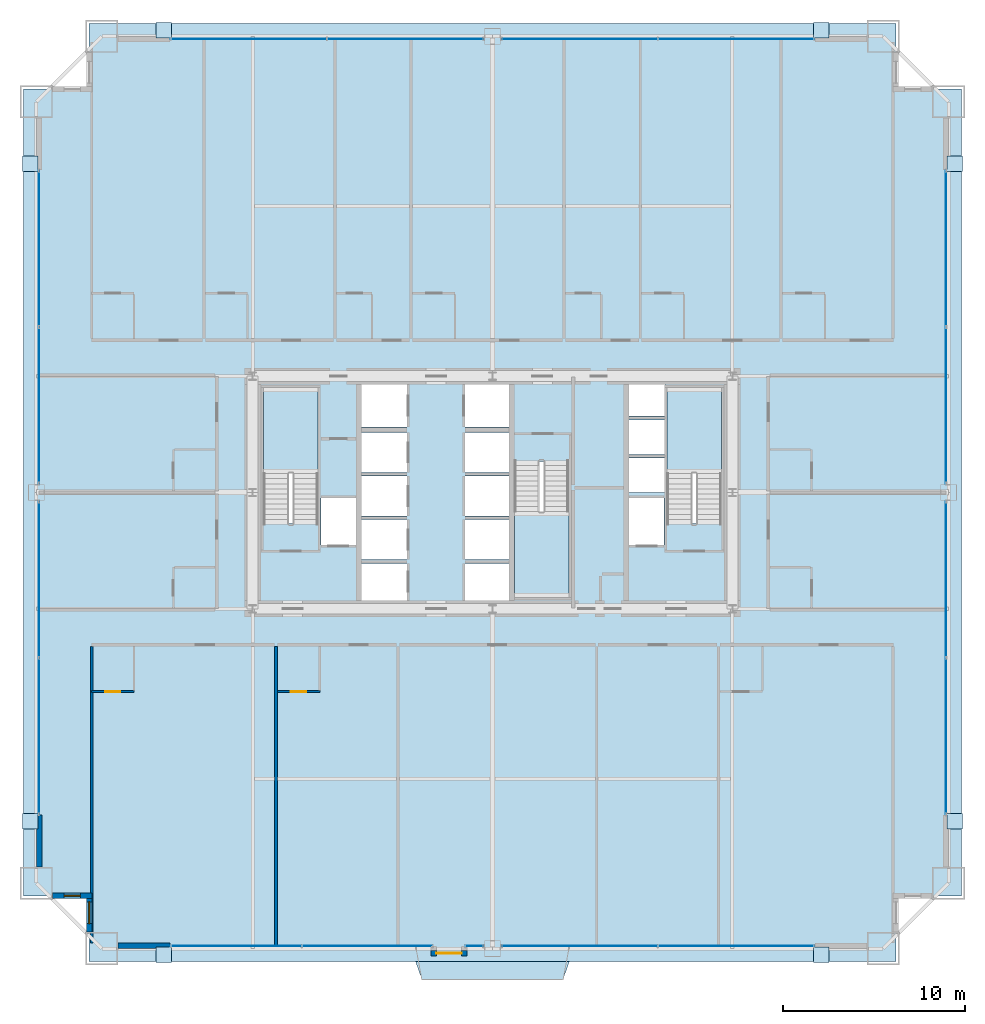
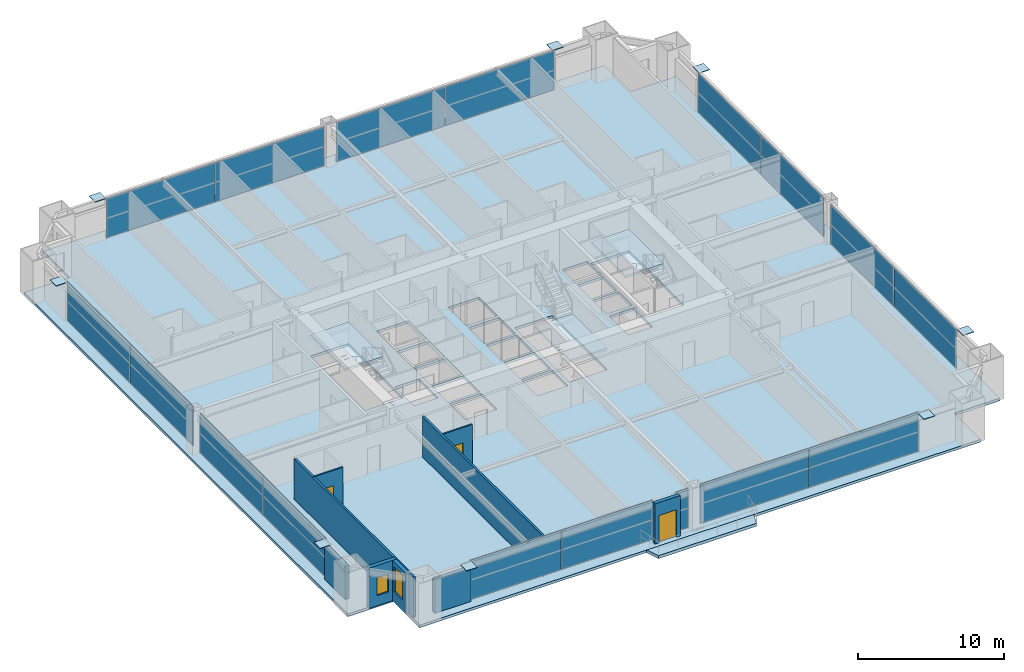
# One storey, part 39 of 45: 25 plates, 9 walls, 5 slabs, 3 doors, 2 windows, 5 openings, 12 elements without a shape of their own.
"""IFC4 building model written with IfcOpenShell, lengths in metres."""

from ifc_helpers import new_model, si_unit, direction, frame, frame_2d, origin, origin_2d, place, context, subcontext, project, spatial, polyline, rectangle, outline, extrude, source, transform, mapped, material, layer, layer_set, type_object, element, fill, aggregate, save


model = new_model("IFC4")

# Units and contexts
model_context = context("Model", 3, precision=1e-05, world=origin(), true_north=direction((0.0, 1.0)))
body_context = subcontext(model_context, "Body", "Model", "MODEL_VIEW")
ifc_project = project(units=[si_unit("LENGTHUNIT", "METRE"), si_unit("AREAUNIT", "SQUARE_METRE"), si_unit("VOLUMEUNIT", "CUBIC_METRE"), si_unit("PLANEANGLEUNIT", "RADIAN"), si_unit("MASSUNIT", "GRAM", prefix="KILO"), si_unit("THERMODYNAMICTEMPERATUREUNIT", "KELVIN"), si_unit("POWERUNIT", "WATT")], contexts=[model_context])

# Site, building, storey
site_placement = place(None, origin())
site = spatial("IfcSite", under=ifc_project, at=site_placement, CompositionType="ELEMENT")
building_placement = place(site_placement, origin())
building = spatial("IfcBuilding", under=site, at=building_placement, Name="Yuzanri Waterfront Tower", CompositionType="ELEMENT")
storey_placement = place(building_placement, frame((0.0, 0.0, 49.60009765625)))
storey = spatial("IfcBuildingStorey", under=building, at=storey_placement, Name="L12", CompositionType="ELEMENT", Elevation=49.60009765625)

# Stair, slab
ifc_material_1 = material(Name="Concrete C40", Category="concrete")
stair_type = type_object("IfcStairType", Name="Concrete C40 Core Dogleg Exit Stair", PredefinedType="HALF_TURN_STAIR", material=ifc_material_1)
stair_1_placement = place(storey_placement, origin())
stair_1 = element("IfcStair", 1, at=stair_1_placement, inside=storey, type_object=stair_type, Name="L12 Smoke-Proof Core Stair ST-01", PredefinedType="HALF_TURN_STAIR")
ifc_material_2 = material(Name="Concrete C40", Category="concrete")
ifc_layer_1 = layer(ifc_material_2, 0.179931640625)
ifc_layer_set_1 = layer_set([ifc_layer_1], Name="Concrete C40")
slab_type_1 = type_object("IfcSlabType", Name="Concrete C40 Stair Half-Landing Slab 180", PredefinedType="LANDING", material=ifc_layer_set_1)
slab_1_placement = place(storey_placement, frame((0.0, 0.0, 1.599853515625)))
slab_1 = element("IfcSlab", 2, at=slab_1_placement, type_object=slab_type_1, Name="ST-01 landing 1", PredefinedType="LANDING", context=body_context, shape_type="SweptSolid", body=[
    extrude(outline(polyline([(27.39990234375, 26.840087890625), (27.39990234375, 31.580078125), (24.39990234375, 31.580078125), (24.39990234375, 26.840087890625), (27.39990234375, 26.840087890625)])), origin(), (0.0, 0.0, 1.0), 0.199951171875),
])
aggregate(stair_1, [slab_1])

stair_2_placement = place(storey_placement, origin())
stair_2 = element("IfcStair", 3, at=stair_2_placement, inside=storey, type_object=stair_type, Name="L12 Smoke-Proof Core Stair ST-02", PredefinedType="HALF_TURN_STAIR")
slab_2_placement = place(storey_placement, frame((0.0, 0.0, 1.599853515625)))
slab_2 = element("IfcSlab", 4, at=slab_2_placement, type_object=slab_type_1, Name="ST-02 landing 1", PredefinedType="LANDING", context=body_context, shape_type="SweptSolid", body=[
    extrude(outline(polyline([(49.60009765625, 26.840087890625), (49.60009765625, 31.580078125), (46.60009765625, 31.580078125), (46.60009765625, 26.840087890625), (49.60009765625, 26.840087890625)])), origin(), (0.0, 0.0, 1.0), 0.199951171875),
])
aggregate(stair_2, [slab_2])

stair_3_placement = place(storey_placement, origin())
stair_3 = element("IfcStair", 5, at=stair_3_placement, inside=storey, type_object=stair_type, Name="L12 Smoke-Proof Core Stair ST-03", PredefinedType="HALF_TURN_STAIR")
slab_3_placement = place(storey_placement, frame((0.0, 0.0, 1.599853515625)))
slab_3 = element("IfcSlab", 6, at=slab_3_placement, type_object=slab_type_1, Name="ST-03 landing 1", PredefinedType="LANDING", context=body_context, shape_type="SweptSolid", body=[
    extrude(outline(polyline([(38.199951171875, 24.760009765625), (38.199951171875, 20.02001953125), (41.199951171875, 20.02001953125), (41.199951171875, 24.760009765625), (38.199951171875, 24.760009765625)])), origin(), (0.0, 0.0, 1.0), 0.199951171875),
])
aggregate(stair_3, [slab_3])

# Slabs
ifc_material_3 = material(Name="Concrete C40", Category="concrete")
ifc_layer_2 = layer(ifc_material_3, 0.25)
ifc_layer_set_2 = layer_set([ifc_layer_2], Name="Concrete C40")
slab_type_2 = type_object("IfcSlabType", Name="Concrete C40 Stepped Gorge Pocket Garden Terrace Slab 250", PredefinedType="FLOOR", material=ifc_layer_set_2)
slab_4_placement = place(storey_placement, frame((0.0, 0.0, -0.25)))
element("IfcSlab", 7, at=slab_4_placement, inside=storey, type_object=slab_type_2, Name="L12 S Cantilevered Engawa Terrace Slab", PredefinedType="FLOOR", context=body_context, shape_type="SweptSolid", body=[
    extrude(outline(polyline([(32.7666015625, 0.0), (41.2333984375, 0.0), (40.883544921875, -1.0029296875), (33.116455078125, -1.0029296875), (32.7666015625, 0.0)])), origin(), (0.0, 0.0, 1.0), 0.25),
])
ifc_material_4 = material(Name="Concrete C40", Category="concrete")
ifc_layer_3 = layer(ifc_material_4, 0.219970703125)
ifc_layer_set_3 = layer_set([ifc_layer_3], Name="Concrete C40")
slab_type_3 = type_object("IfcSlabType", Name="Concrete C40 Tower Typical Structural Floor Slab 220", PredefinedType="FLOOR", material=ifc_layer_set_3)
slab_5_placement = place(storey_placement, frame((0.0, 0.0, -0.22021484375)))
element("IfcSlab", 8, at=slab_5_placement, inside=storey, type_object=slab_type_3, Name="L12 Main Structural Floor Slab", PredefinedType="FLOOR", context=body_context, shape_type="SweptSolid", body=[
    extrude(outline(polyline([(14.800048828125, 0.0), (59.199951171875, 0.0), (59.199951171875, 3.60009765625), (62.800048828125, 3.60009765625), (62.800048828125, 48.0), (59.199951171875, 48.0), (59.199951171875, 51.60009765625), (14.800048828125, 51.60009765625), (14.800048828125, 48.0), (11.199951171875, 48.0), (11.199951171875, 3.60009765625), (14.800048828125, 3.60009765625), (14.800048828125, 0.0)]), holes=[polyline([(27.39990234375, 24.10009765625), (27.39990234375, 31.580078125), (24.39990234375, 31.580078125), (24.39990234375, 24.10009765625), (27.39990234375, 24.10009765625)]), polyline([(49.60009765625, 24.10009765625), (49.60009765625, 31.580078125), (46.60009765625, 31.580078125), (46.60009765625, 24.10009765625), (49.60009765625, 24.10009765625)]), polyline([(38.199951171875, 27.5), (38.199951171875, 20.02001953125), (41.199951171875, 20.02001953125), (41.199951171875, 27.5), (38.199951171875, 27.5)]), polyline([(27.56005859375, 22.89990234375), (29.47998046875, 22.89990234375), (29.47998046875, 25.5), (27.56005859375, 25.5), (27.56005859375, 22.89990234375)]), polyline([(44.52001953125, 22.89990234375), (46.43994140625, 22.89990234375), (46.43994140625, 25.5), (44.52001953125, 25.5), (44.52001953125, 22.89990234375)]), polyline([(29.800048828125, 19.699951171875), (32.300048828125, 19.699951171875), (32.300048828125, 21.89990234375), (29.800048828125, 21.89990234375), (29.800048828125, 19.699951171875)]), polyline([(29.800048828125, 22.10009765625), (32.300048828125, 22.10009765625), (32.300048828125, 24.300048828125), (29.800048828125, 24.300048828125), (29.800048828125, 22.10009765625)]), polyline([(29.800048828125, 24.5), (32.300048828125, 24.5), (32.300048828125, 26.699951171875), (29.800048828125, 26.699951171875), (29.800048828125, 24.5)]), polyline([(29.800048828125, 26.89990234375), (32.300048828125, 26.89990234375), (32.300048828125, 29.10009765625), (29.800048828125, 29.10009765625), (29.800048828125, 26.89990234375)]), polyline([(29.800048828125, 29.39990234375), (32.300048828125, 29.39990234375), (32.300048828125, 31.89990234375), (29.800048828125, 31.89990234375), (29.800048828125, 29.39990234375)]), polyline([(35.5, 19.699951171875), (37.89990234375, 19.699951171875), (37.89990234375, 21.89990234375), (35.5, 21.89990234375), (35.5, 19.699951171875)]), polyline([(35.5, 22.10009765625), (37.89990234375, 22.10009765625), (37.89990234375, 24.300048828125), (35.5, 24.300048828125), (35.5, 22.10009765625)]), polyline([(35.5, 24.5), (37.89990234375, 24.5), (37.89990234375, 26.699951171875), (35.5, 26.699951171875), (35.5, 24.5)]), polyline([(35.5, 26.89990234375), (37.89990234375, 26.89990234375), (37.89990234375, 29.10009765625), (35.5, 29.10009765625), (35.5, 26.89990234375)]), polyline([(35.5, 29.39990234375), (37.89990234375, 29.39990234375), (37.89990234375, 31.89990234375), (35.5, 31.89990234375), (35.5, 29.39990234375)]), polyline([(44.5, 25.800048828125), (46.5, 25.800048828125), (46.5, 27.699951171875), (44.5, 27.699951171875), (44.5, 25.800048828125)]), polyline([(44.5, 27.89990234375), (46.5, 27.89990234375), (46.5, 29.800048828125), (44.5, 29.800048828125), (44.5, 27.89990234375)]), polyline([(44.5, 30.0), (46.5, 30.0), (46.5, 31.89990234375), (44.5, 31.89990234375), (44.5, 30.0)])]), origin(), (0.0, 0.0, 1.0), 0.22021484375),
])

# Plates
ifc_material_5 = material(Name="Steel Q420GJC", Category="steel")
ifc_layer_4 = layer(ifc_material_5, 0.0400390625)
ifc_layer_set_4 = layer_set([ifc_layer_4], Name="Steel Q420GJC")
plate_type_1 = type_object("IfcPlateType", Name="Steel Q420GJC Mega-Brace Gusset and End-Cap Plate 40", PredefinedType="SHEET", material=ifc_layer_set_4)
shared_shape_1 = source(origin(), body_context, "Body", "SweptSolid", [
    extrude(rectangle(XDim=0.85009765625, YDim=0.85009765625, at=origin_2d()), origin(), (0.0, 0.0, 1.0), 0.0400390625),
])
for number, where, z_axis, x_axis, name in (
    (9, (18.89990234375, 0.360107421875, 3.259765625), (0.0, 0.0, 1.0), (1.0, 0.0, 0.0), "L12 Mega-Brace Apex Cap Plate S-L"),
    (10, (55.10009765625, 0.360107421875, 3.259765625), (0.0, 0.0, 1.0), (1.0, 0.0, 0.0), "L12 Mega-Brace Apex Cap Plate S-R"),
    (11, (18.89990234375, 51.239990234375, 3.259765625), (0.0, 0.0, 1.0), (1.0, 0.0, 0.0), "L12 Mega-Brace Apex Cap Plate N-L"),
    (12, (55.10009765625, 51.239990234375, 3.259765625), (0.0, 0.0, 1.0), (1.0, 0.0, 0.0), "L12 Mega-Brace Apex Cap Plate N-R"),
    (13, (11.56005859375, 7.699951171875, 3.259765625), (0.0, 0.0, 1.0), (1.0, 0.0, 0.0), "L12 Mega-Brace Apex Cap Plate W-L"),
    (14, (11.56005859375, 43.89990234375, 3.259765625), (0.0, 0.0, 1.0), (1.0, 0.0, 0.0), "L12 Mega-Brace Apex Cap Plate W-R"),
    (15, (62.43994140625, 7.699951171875, 3.259765625), (0.0, 0.0, 1.0), (1.0, 0.0, 0.0), "L12 Mega-Brace Apex Cap Plate E-L"),
    (16, (62.43994140625, 43.89990234375, 3.259765625), (0.0, 0.0, 1.0), (1.0, 0.0, 0.0), "L12 Mega-Brace Apex Cap Plate E-R"),
):
    element("IfcPlate", number, at=place(storey_placement, frame(where, z_axis=z_axis, x_axis=x_axis)), inside=storey, type_object=plate_type_1, Name=name, PredefinedType="SHEET", context=body_context, shape_type="MappedRepresentation", body=[
        mapped(shared_shape_1, transform((0.0, 0.0, 0.0), scale=1.0)),
    ])

# Curtain wall, plates
ifc_material_6 = material(Name="Anodized Architectural Bronze", Category="metal")
ifc_layer_5 = layer(ifc_material_6, 0.159912109375)
ifc_layer_set_5 = layer_set([ifc_layer_5], Name="Anodized Architectural Bronze")
curtain_wall_type = type_object("IfcCurtainWallType", Name="Anodized Bronze Hotel Lower-Tier Recessed Unitized Curtain Wall 8100", PredefinedType="NOTDEFINED", material=ifc_layer_set_5)
curtain_wall_1_placement = place(storey_placement, origin())
curtain_wall_1 = element("IfcCurtainWall", 17, at=curtain_wall_1_placement, inside=storey, type_object=curtain_wall_type, Name="L12 Curtain Wall CW-L12-SR", PredefinedType="NOTDEFINED")
ifc_material_7 = material(Name="Double-Silver Low-E Insulated Glass", Category="glass")
ifc_layer_6 = layer(ifc_material_7, 0.035888671875)
ifc_layer_set_6 = layer_set([ifc_layer_6], Name="Double-Silver Low-E Insulated Glass")
plate_type_2 = type_object("IfcPlateType", Name="Double Silver Low-E Insulated Vision Glass Panel 36", PredefinedType="CURTAIN_PANEL", material=ifc_layer_set_6)
shared_shape_2 = source(origin(), body_context, "Body", "SweptSolid", [
    extrude(rectangle(XDim=8.570068359375, YDim=0.035888671875, at=origin_2d()), origin(), (0.0, 0.0, 1.0), 3.280029296875),
])
plate_1_placement = place(storey_placement, frame((41.77490234375, 0.85009765625, 0.0498046875), z_axis=(0.0, 0.0, 1.0), x_axis=(1.0, 0.0, 0.0)))
plate_1 = element("IfcPlate", 18, at=plate_1_placement, type_object=plate_type_2, Name="CW-L12-SR Vision Glass Panel 01", PredefinedType="CURTAIN_PANEL", context=body_context, shape_type="MappedRepresentation", body=[
    mapped(shared_shape_2, transform((0.0, 0.0, 0.0), scale=1.0)),
])
plate_2_placement = place(storey_placement, frame((50.425048828125, 0.85009765625, 0.0498046875), z_axis=(0.0, 0.0, 1.0), x_axis=(1.0, 0.0, 0.0)))
plate_2 = element("IfcPlate", 19, at=plate_2_placement, type_object=plate_type_2, Name="CW-L12-SR Vision Glass Panel 02", PredefinedType="CURTAIN_PANEL", context=body_context, shape_type="MappedRepresentation", body=[
    mapped(shared_shape_2, transform((0.0, 0.0, 0.0), scale=1.0)),
])
aggregate(curtain_wall_1, [plate_1, plate_2])

curtain_wall_2_placement = place(storey_placement, origin())
curtain_wall_2 = element("IfcCurtainWall", 20, at=curtain_wall_2_placement, inside=storey, type_object=curtain_wall_type, Name="L12 Curtain Wall CW-L12-NL", PredefinedType="NOTDEFINED")
plate_3_placement = place(storey_placement, frame((23.574951171875, 50.75, 0.0498046875), z_axis=(0.0, 0.0, 1.0), x_axis=(1.0, 0.0, 0.0)))
plate_3 = element("IfcPlate", 21, at=plate_3_placement, type_object=plate_type_2, Name="CW-L12-NL Vision Glass Panel 01", PredefinedType="CURTAIN_PANEL", context=body_context, shape_type="MappedRepresentation", body=[
    mapped(shared_shape_2, transform((0.0, 0.0, 0.0), scale=1.0)),
])
plate_4_placement = place(storey_placement, frame((32.22509765625, 50.75, 0.0498046875), z_axis=(0.0, 0.0, 1.0), x_axis=(1.0, 0.0, 0.0)))
plate_4 = element("IfcPlate", 22, at=plate_4_placement, type_object=plate_type_2, Name="CW-L12-NL Vision Glass Panel 02", PredefinedType="CURTAIN_PANEL", context=body_context, shape_type="MappedRepresentation", body=[
    mapped(shared_shape_2, transform((0.0, 0.0, 0.0), scale=1.0)),
])
aggregate(curtain_wall_2, [plate_3, plate_4])

curtain_wall_3_placement = place(storey_placement, origin())
curtain_wall_3 = element("IfcCurtainWall", 23, at=curtain_wall_3_placement, inside=storey, type_object=curtain_wall_type, Name="L12 Curtain Wall CW-L12-NR", PredefinedType="NOTDEFINED")
plate_5_placement = place(storey_placement, frame((41.77490234375, 50.75, 0.0498046875), z_axis=(0.0, 0.0, 1.0), x_axis=(1.0, 0.0, 0.0)))
plate_5 = element("IfcPlate", 24, at=plate_5_placement, type_object=plate_type_2, Name="CW-L12-NR Vision Glass Panel 01", PredefinedType="CURTAIN_PANEL", context=body_context, shape_type="MappedRepresentation", body=[
    mapped(shared_shape_2, transform((0.0, 0.0, 0.0), scale=1.0)),
])
plate_6_placement = place(storey_placement, frame((50.425048828125, 50.75, 0.0498046875), z_axis=(0.0, 0.0, 1.0), x_axis=(1.0, 0.0, 0.0)))
plate_6 = element("IfcPlate", 25, at=plate_6_placement, type_object=plate_type_2, Name="CW-L12-NR Vision Glass Panel 02", PredefinedType="CURTAIN_PANEL", context=body_context, shape_type="MappedRepresentation", body=[
    mapped(shared_shape_2, transform((0.0, 0.0, 0.0), scale=1.0)),
])
aggregate(curtain_wall_3, [plate_5, plate_6])

curtain_wall_4_placement = place(storey_placement, origin())
curtain_wall_4 = element("IfcCurtainWall", 26, at=curtain_wall_4_placement, inside=storey, type_object=curtain_wall_type, Name="L12 Curtain Wall CW-L12-WL", PredefinedType="NOTDEFINED")
plate_7_placement = place(storey_placement, frame((12.050048828125, 12.375, 0.0498046875), z_axis=(0.0, 0.0, 1.0), x_axis=(0.0, 1.0, 0.0)))
plate_7 = element("IfcPlate", 27, at=plate_7_placement, type_object=plate_type_2, Name="CW-L12-WL Vision Glass Panel 01", PredefinedType="CURTAIN_PANEL", context=body_context, shape_type="MappedRepresentation", body=[
    mapped(shared_shape_2, transform((0.0, 0.0, 0.0), scale=1.0)),
])
plate_8_placement = place(storey_placement, frame((12.050048828125, 21.02490234375, 0.0498046875), z_axis=(0.0, 0.0, 1.0), x_axis=(0.0, 1.0, 0.0)))
plate_8 = element("IfcPlate", 28, at=plate_8_placement, type_object=plate_type_2, Name="CW-L12-WL Vision Glass Panel 02", PredefinedType="CURTAIN_PANEL", context=body_context, shape_type="MappedRepresentation", body=[
    mapped(shared_shape_2, transform((0.0, 0.0, 0.0), scale=1.0)),
])
aggregate(curtain_wall_4, [plate_7, plate_8])

curtain_wall_5_placement = place(storey_placement, origin())
curtain_wall_5 = element("IfcCurtainWall", 29, at=curtain_wall_5_placement, inside=storey, type_object=curtain_wall_type, Name="L12 Curtain Wall CW-L12-WR", PredefinedType="NOTDEFINED")
plate_9_placement = place(storey_placement, frame((12.050048828125, 30.574951171875, 0.0498046875), z_axis=(0.0, 0.0, 1.0), x_axis=(0.0, 1.0, 0.0)))
plate_9 = element("IfcPlate", 30, at=plate_9_placement, type_object=plate_type_2, Name="CW-L12-WR Vision Glass Panel 01", PredefinedType="CURTAIN_PANEL", context=body_context, shape_type="MappedRepresentation", body=[
    mapped(shared_shape_2, transform((0.0, 0.0, 0.0), scale=1.0)),
])
plate_10_placement = place(storey_placement, frame((12.050048828125, 39.22509765625, 0.0498046875), z_axis=(0.0, 0.0, 1.0), x_axis=(0.0, 1.0, 0.0)))
plate_10 = element("IfcPlate", 31, at=plate_10_placement, type_object=plate_type_2, Name="CW-L12-WR Vision Glass Panel 02", PredefinedType="CURTAIN_PANEL", context=body_context, shape_type="MappedRepresentation", body=[
    mapped(shared_shape_2, transform((0.0, 0.0, 0.0), scale=1.0)),
])
aggregate(curtain_wall_5, [plate_9, plate_10])

curtain_wall_6_placement = place(storey_placement, origin())
curtain_wall_6 = element("IfcCurtainWall", 32, at=curtain_wall_6_placement, inside=storey, type_object=curtain_wall_type, Name="L12 Curtain Wall CW-L12-EL", PredefinedType="NOTDEFINED")
plate_11_placement = place(storey_placement, frame((61.949951171875, 12.375, 0.0498046875), z_axis=(0.0, 0.0, 1.0), x_axis=(0.0, 1.0, 0.0)))
plate_11 = element("IfcPlate", 33, at=plate_11_placement, type_object=plate_type_2, Name="CW-L12-EL Vision Glass Panel 01", PredefinedType="CURTAIN_PANEL", context=body_context, shape_type="MappedRepresentation", body=[
    mapped(shared_shape_2, transform((0.0, 0.0, 0.0), scale=1.0)),
])
plate_12_placement = place(storey_placement, frame((61.949951171875, 21.02490234375, 0.0498046875), z_axis=(0.0, 0.0, 1.0), x_axis=(0.0, 1.0, 0.0)))
plate_12 = element("IfcPlate", 34, at=plate_12_placement, type_object=plate_type_2, Name="CW-L12-EL Vision Glass Panel 02", PredefinedType="CURTAIN_PANEL", context=body_context, shape_type="MappedRepresentation", body=[
    mapped(shared_shape_2, transform((0.0, 0.0, 0.0), scale=1.0)),
])
aggregate(curtain_wall_6, [plate_11, plate_12])

curtain_wall_7_placement = place(storey_placement, origin())
curtain_wall_7 = element("IfcCurtainWall", 35, at=curtain_wall_7_placement, inside=storey, type_object=curtain_wall_type, Name="L12 Curtain Wall CW-L12-ER", PredefinedType="NOTDEFINED")
plate_13_placement = place(storey_placement, frame((61.949951171875, 30.574951171875, 0.0498046875), z_axis=(0.0, 0.0, 1.0), x_axis=(0.0, 1.0, 0.0)))
plate_13 = element("IfcPlate", 36, at=plate_13_placement, type_object=plate_type_2, Name="CW-L12-ER Vision Glass Panel 01", PredefinedType="CURTAIN_PANEL", context=body_context, shape_type="MappedRepresentation", body=[
    mapped(shared_shape_2, transform((0.0, 0.0, 0.0), scale=1.0)),
])
plate_14_placement = place(storey_placement, frame((61.949951171875, 39.22509765625, 0.0498046875), z_axis=(0.0, 0.0, 1.0), x_axis=(0.0, 1.0, 0.0)))
plate_14 = element("IfcPlate", 37, at=plate_14_placement, type_object=plate_type_2, Name="CW-L12-ER Vision Glass Panel 02", PredefinedType="CURTAIN_PANEL", context=body_context, shape_type="MappedRepresentation", body=[
    mapped(shared_shape_2, transform((0.0, 0.0, 0.0), scale=1.0)),
])
aggregate(curtain_wall_7, [plate_13, plate_14])

curtain_wall_8_placement = place(storey_placement, origin())
curtain_wall_8 = element("IfcCurtainWall", 38, at=curtain_wall_8_placement, inside=storey, type_object=curtain_wall_type, Name="L12 Curtain Wall CW-L12-SL1", PredefinedType="NOTDEFINED")
shared_shape_3 = source(origin(), body_context, "Body", "SweptSolid", [
    extrude(rectangle(XDim=7.174072265625, YDim=0.035888671875, at=origin_2d()), origin(), (0.0, 0.0, 1.0), 3.280029296875),
])
plate_15_placement = place(storey_placement, frame((22.876953125, 0.85009765625, 0.0498046875), z_axis=(0.0, 0.0, 1.0), x_axis=(1.0, 0.0, 0.0)))
plate_15 = element("IfcPlate", 39, at=plate_15_placement, type_object=plate_type_2, Name="CW-L12-SL1 Vision Glass Panel 01", PredefinedType="CURTAIN_PANEL", context=body_context, shape_type="MappedRepresentation", body=[
    mapped(shared_shape_3, transform((0.0, 0.0, 0.0), scale=1.0)),
])
plate_16_placement = place(storey_placement, frame((30.131103515625, 0.85009765625, 0.0498046875), z_axis=(0.0, 0.0, 1.0), x_axis=(1.0, 0.0, 0.0)))
plate_16 = element("IfcPlate", 40, at=plate_16_placement, type_object=plate_type_2, Name="CW-L12-SL1 Vision Glass Panel 02", PredefinedType="CURTAIN_PANEL", context=body_context, shape_type="MappedRepresentation", body=[
    mapped(shared_shape_3, transform((0.0, 0.0, 0.0), scale=1.0)),
])
aggregate(curtain_wall_8, [plate_15, plate_16])

# Curtain wall, plate
curtain_wall_9_placement = place(storey_placement, origin())
curtain_wall_9 = element("IfcCurtainWall", 41, at=curtain_wall_9_placement, inside=storey, type_object=curtain_wall_type, Name="L12 Curtain Wall CW-L12-SL2", PredefinedType="NOTDEFINED")
shared_shape_4 = source(origin(), body_context, "Body", "SweptSolid", [
    extrude(rectangle(XDim=1.011962890625, YDim=0.035888671875, at=origin_2d()), origin(), (0.0, 0.0, 1.0), 3.280029296875),
])
plate_17_placement = place(storey_placement, frame((36.00390625, 0.85009765625, 0.0498046875), z_axis=(0.0, 0.0, 1.0), x_axis=(1.0, 0.0, 0.0)))
plate_17 = element("IfcPlate", 42, at=plate_17_placement, type_object=plate_type_2, Name="CW-L12-SL2 Vision Glass Panel 01", PredefinedType="CURTAIN_PANEL", context=body_context, shape_type="MappedRepresentation", body=[
    mapped(shared_shape_4, transform((0.0, 0.0, 0.0), scale=1.0)),
])
aggregate(curtain_wall_9, [plate_17])

# Wall, opening, door
ifc_material_8 = material(Name="Moisture-Resistant Gypsum Stud Wall", Category="gypsum")
ifc_layer_7 = layer(ifc_material_8, 0.1201171875)
ifc_layer_set_7 = layer_set([ifc_layer_7], Name="Moisture-Resistant Gypsum Stud Wall")
wall_type_1 = type_object("IfcWallType", Name="Bathroom and Kitchen Wet Partition 120", PredefinedType="PARTITIONING", material=ifc_layer_set_7)
wall_1_placement = place(storey_placement, frame((14.93994140625, 14.840087890625, 0.0), z_axis=(0.0, 0.0, 1.0), x_axis=(1.0, 0.0, 0.0)))
wall_1 = element("IfcWall", 43, at=wall_1_placement, inside=storey, type_object=wall_type_1, Name="L12 Partition UW-L12-S1-BS", PredefinedType="PARTITIONING", context=body_context, shape_type="SweptSolid", body=[
    extrude(rectangle(XDim=2.330078125, YDim=0.1201171875, at=frame_2d((1.1650390625, 0.0))), origin(), (0.0, 0.0, 1.0), 3.3798828125),
])
opening_1_placement = place(wall_1_placement, frame((0.739990234375, 0.0, 0.0)))
opening_1 = element("IfcOpeningElement", 44, at=opening_1_placement, cuts=wall_1, Name="Opening ID-0850", PredefinedType="OPENING", context=body_context, shape_type="SweptSolid", body=[
    extrude(rectangle(XDim=0.85009765625, YDim=2.10009765625, at=frame_2d((0.425048828125, 1.050048828125))), frame((0.0, 0.074951171875, 0.0), z_axis=(0.0, -1.0, 0.0), x_axis=(1.0, 0.0, 0.0)), (0.0, 0.0, 1.0), 0.14990234375),
])
ifc_material_9 = material(Name="Moisture-Resistant Lacquered Timber", Category="wood")
door_type_1 = type_object("IfcDoorType", Name="En-Suite Bathroom and Kitchen Swing Door 850x2100", OperationType="NOTDEFINED", PredefinedType="DOOR", material=ifc_material_9)
shared_shape_5 = source(origin(), body_context, "Body", "SweptSolid", [
    extrude(rectangle(XDim=0.85009765625, YDim=2.10009765625, at=frame_2d((0.425048828125, 1.050048828125))), frame((0.0, 0.02490234375, 0.0), z_axis=(0.0, -1.0, 0.0), x_axis=(1.0, 0.0, 0.0)), (0.0, 0.0, 1.0), 0.050048828125),
])
door_1_placement = place(opening_1_placement, origin())
door_1 = element("IfcDoor", 45, at=door_1_placement, inside=storey, type_object=door_type_1, Name="L12 Guest En-Suite Door", OperationType="SINGLE_SWING_RIGHT", OverallHeight=2.10009765625, OverallWidth=0.85009765625, PredefinedType="DOOR", context=body_context, shape_type="MappedRepresentation", body=[
    mapped(shared_shape_5, transform((0.0, 0.0, 0.0), scale=1.0)),
])
fill(opening_1, door_1)

wall_2_placement = place(storey_placement, frame((25.16796875, 14.840087890625, 0.0), z_axis=(0.0, 0.0, 1.0), x_axis=(1.0, 0.0, 0.0)))
wall_2 = element("IfcWall", 46, at=wall_2_placement, inside=storey, type_object=wall_type_1, Name="L12 Partition UW-L12-S2-BS", PredefinedType="PARTITIONING", context=body_context, shape_type="SweptSolid", body=[
    extrude(rectangle(XDim=2.330078125, YDim=0.1201171875, at=frame_2d((1.1650390625, 0.0))), origin(), (0.0, 0.0, 1.0), 3.3798828125),
])
opening_2_placement = place(wall_2_placement, frame((0.739990234375, 0.0, 0.0)))
opening_2 = element("IfcOpeningElement", 47, at=opening_2_placement, cuts=wall_2, Name="Opening ID-0850", PredefinedType="OPENING", context=body_context, shape_type="SweptSolid", body=[
    extrude(rectangle(XDim=0.85009765625, YDim=2.10009765625, at=frame_2d((0.425048828125, 1.050048828125))), frame((0.0, 0.074951171875, 0.0), z_axis=(0.0, -1.0, 0.0), x_axis=(1.0, 0.0, 0.0)), (0.0, 0.0, 1.0), 0.14990234375),
])
door_2_placement = place(opening_2_placement, origin())
door_2 = element("IfcDoor", 48, at=door_2_placement, inside=storey, type_object=door_type_1, Name="L12 Guest En-Suite Door", OperationType="SINGLE_SWING_RIGHT", OverallHeight=2.10009765625, OverallWidth=0.85009765625, PredefinedType="DOOR", context=body_context, shape_type="MappedRepresentation", body=[
    mapped(shared_shape_5, transform((0.0, 0.0, 0.0), scale=1.0)),
])
fill(opening_2, door_2)

# Wall, opening, window
ifc_material_10 = material(Name="Honed Chongqing Dark Basalt Stone", Category="masonry")
ifc_layer_8 = layer(ifc_material_10, 0.300048828125)
ifc_layer_set_8 = layer_set([ifc_layer_8], Name="Honed Chongqing Dark Basalt Stone")
wall_type_2 = type_object("IfcWallType", Name="Bronze Rainscreen Insulated Spandrel Portal Wall 300", PredefinedType="SOLIDWALL", material=ifc_layer_set_8)
wall_3_placement = place(storey_placement, frame((12.800048828125, 3.60009765625, 0.0), z_axis=(0.0, 0.0, 1.0), x_axis=(1.0, 0.0, 0.0)))
wall_3 = element("IfcWall", 49, at=wall_3_placement, inside=storey, type_object=wall_type_2, Name="L12 Notched Corner Masonry Wall SW-X", PredefinedType="SOLIDWALL", context=body_context, shape_type="SweptSolid", body=[
    extrude(rectangle(XDim=2.14990234375, YDim=0.300048828125, at=frame_2d((1.074951171875, 0.0))), origin(), (0.0, 0.0, 1.0), 3.3798828125),
])
opening_3_placement = place(wall_3_placement, frame((0.625, 0.0, 0.85009765625)))
opening_3 = element("IfcOpeningElement", 50, at=opening_3_placement, cuts=wall_3, Name="Opening WN-05", PredefinedType="OPENING", context=body_context, shape_type="SweptSolid", body=[
    extrude(rectangle(XDim=0.89990234375, YDim=1.5, at=frame_2d((0.449951171875, 0.75))), frame((0.0, 0.1650390625, 0.0), z_axis=(0.0, -1.0, 0.0), x_axis=(1.0, 0.0, 0.0)), (0.0, 0.0, 1.0), 0.329833984375),
])
ifc_material_11 = material(Name="Double-Silver Low-E Insulated Glass", Category="glass")
window_type_1 = type_object("IfcWindowType", Name="Anodized Bronze Service and Stairwell Smoke-Vent Window 900x1500", PartitioningType="SINGLE_PANEL", PredefinedType="WINDOW", material=ifc_material_11)
shared_shape_6 = source(origin(), body_context, "Body", "SweptSolid", [
    extrude(rectangle(XDim=0.89990234375, YDim=1.5, at=frame_2d((0.449951171875, 0.75))), frame((0.0, 0.030029296875, 0.0), z_axis=(0.0, -1.0, 0.0), x_axis=(1.0, 0.0, 0.0)), (0.0, 0.0, 1.0), 0.06005859375),
])
window_1_placement = place(opening_3_placement, origin())
window_1 = element("IfcWindow", 51, at=window_1_placement, inside=storey, type_object=window_type_1, Name="L12 Notched Corner Window SW-X", OverallHeight=1.5, OverallWidth=0.89990234375, PartitioningType="SINGLE_PANEL", PredefinedType="WINDOW", context=body_context, shape_type="MappedRepresentation", body=[
    mapped(shared_shape_6, transform((0.0, 0.0, 0.0), scale=1.0)),
])
fill(opening_3, window_1)

wall_4_placement = place(storey_placement, frame((14.800048828125, 3.75, 0.0), z_axis=(0.0, 0.0, 1.0), x_axis=(0.0, -1.0, 0.0)))
wall_4 = element("IfcWall", 52, at=wall_4_placement, inside=storey, type_object=wall_type_2, Name="L12 Notched Corner Masonry Wall SW-Y", PredefinedType="SOLIDWALL", context=body_context, shape_type="SweptSolid", body=[
    extrude(rectangle(XDim=2.14990234375, YDim=0.300048828125, at=frame_2d((1.074951171875, 0.0))), origin(), (0.0, 0.0, 1.0), 3.3798828125),
])
opening_4_placement = place(wall_4_placement, frame((0.47509765625, 0.0, 0.85009765625)))
opening_4 = element("IfcOpeningElement", 53, at=opening_4_placement, cuts=wall_4, Name="Opening WN-02", PredefinedType="OPENING", context=body_context, shape_type="SweptSolid", body=[
    extrude(rectangle(XDim=1.199951171875, YDim=2.10009765625, at=frame_2d((0.60009765625, 1.050048828125))), frame((0.0, 0.1650390625, 0.0), z_axis=(0.0, -1.0, 0.0), x_axis=(1.0, 0.0, 0.0)), (0.0, 0.0, 1.0), 0.329833984375),
])
ifc_material_12 = material(Name="Double-Silver Low-E Insulated Glass", Category="glass")
window_type_2 = type_object("IfcWindowType", Name="Anodized Bronze Notched Corner Deep-Set Slot Window 1200x2100", PartitioningType="SINGLE_PANEL", PredefinedType="WINDOW", material=ifc_material_12)
shared_shape_7 = source(origin(), body_context, "Body", "SweptSolid", [
    extrude(rectangle(XDim=1.199951171875, YDim=2.10009765625, at=frame_2d((0.60009765625, 1.050048828125))), frame((0.0, 0.030029296875, 0.0), z_axis=(0.0, -1.0, 0.0), x_axis=(1.0, 0.0, 0.0)), (0.0, 0.0, 1.0), 0.06005859375),
])
window_2_placement = place(opening_4_placement, origin())
window_2 = element("IfcWindow", 54, at=window_2_placement, inside=storey, type_object=window_type_2, Name="L12 Notched Corner Window SW-Y", OverallHeight=2.10009765625, OverallWidth=1.199951171875, PartitioningType="SINGLE_PANEL", PredefinedType="WINDOW", context=body_context, shape_type="MappedRepresentation", body=[
    mapped(shared_shape_7, transform((0.0, 0.0, 0.0), scale=1.0)),
])
fill(opening_4, window_2)

# Wall, opening, door
wall_5_placement = place(storey_placement, frame((33.60791015625, 0.449951171875, 0.0), z_axis=(0.0, 0.0, 1.0), x_axis=(1.0, 0.0, 0.0)))
wall_5 = element("IfcWall", 55, at=wall_5_placement, inside=storey, type_object=wall_type_2, Name="L12 S Terrace Door Portal Wall", PredefinedType="SOLIDWALL", context=body_context, shape_type="SweptSolid", body=[
    extrude(rectangle(XDim=2.0, YDim=0.300048828125, at=frame_2d((1.0, 0.0))), origin(), (0.0, 0.0, 1.0), 3.3798828125),
])
opening_5_placement = place(wall_5_placement, frame((0.300048828125, 0.0, 0.0)))
opening_5 = element("IfcOpeningElement", 56, at=opening_5_placement, cuts=wall_5, Name="Opening TD-1400", PredefinedType="OPENING", context=body_context, shape_type="SweptSolid", body=[
    extrude(rectangle(XDim=1.39990234375, YDim=2.300048828125, at=frame_2d((0.699951171875, 1.14990234375))), frame((0.0, 0.1650390625, 0.0), z_axis=(0.0, -1.0, 0.0), x_axis=(1.0, 0.0, 0.0)), (0.0, 0.0, 1.0), 0.329833984375),
])
ifc_material_13 = material(Name="Anodized Architectural Bronze", Category="metal")
door_type_2 = type_object("IfcDoorType", Name="Anodized Bronze Balcony and Terrace Glazed Double Door 1400x2300", OperationType="NOTDEFINED", PredefinedType="DOOR", material=ifc_material_13)
shared_shape_8 = source(origin(), body_context, "Body", "SweptSolid", [
    extrude(rectangle(XDim=1.39990234375, YDim=2.300048828125, at=frame_2d((0.699951171875, 1.14990234375))), frame((0.0, 0.02490234375, 0.0), z_axis=(0.0, -1.0, 0.0), x_axis=(1.0, 0.0, 0.0)), (0.0, 0.0, 1.0), 0.050048828125),
])
door_3_placement = place(opening_5_placement, origin())
door_3 = element("IfcDoor", 57, at=door_3_placement, inside=storey, type_object=door_type_2, Name="L12 S Terrace Glazed Double Door", OperationType="DOUBLE_DOOR_SINGLE_SWING", OverallHeight=2.300048828125, OverallWidth=1.39990234375, PredefinedType="DOOR", context=body_context, shape_type="MappedRepresentation", body=[
    mapped(shared_shape_8, transform((0.0, 0.0, 0.0), scale=1.0)),
])
fill(opening_5, door_3)

# Walls
shared_shape_9 = source(origin(), body_context, "Body", "SweptSolid", [
    extrude(rectangle(XDim=2.85009765625, YDim=0.300048828125, at=frame_2d((1.425048828125, 0.0))), origin(), (0.0, 0.0, 1.0), 2.77490234375),
])
for number, where, z_axis, x_axis, name in (
    (58, (16.39990234375, 0.85009765625, 0.0), (0.0, 0.0, 1.0), (1.0, 0.0, 0.0), "L12 S Left Braced Masonry Shoulder"),
    (59, (12.050048828125, 5.199951171875, 0.0), (0.0, 0.0, 1.0), (0.0, 1.0, 0.0), "L12 W Left Braced Masonry Shoulder"),
):
    element("IfcWall", number, at=place(storey_placement, frame(where, z_axis=z_axis, x_axis=x_axis)), inside=storey, type_object=wall_type_2, Name=name, PredefinedType="SOLIDWALL", context=body_context, shape_type="MappedRepresentation", body=[
        mapped(shared_shape_9, transform((0.0, 0.0, 0.0), scale=1.0)),
    ])
ifc_material_14 = material(Name="Gypsum Fireboard Acoustic Stud Wall", Category="gypsum")
ifc_layer_9 = layer(ifc_material_14, 0.159912109375)
ifc_layer_set_9 = layer_set([ifc_layer_9], Name="Gypsum Fireboard Acoustic Stud Wall")
wall_type_3 = type_object("IfcWallType", Name="Acoustic Suite Demising Partition 160", PredefinedType="PARTITIONING", material=ifc_layer_set_9)
shared_shape_10 = source(origin(), body_context, "Body", "SweptSolid", [
    extrude(rectangle(XDim=16.469970703125, YDim=0.159912109375, at=frame_2d((8.23486328125, 0.0))), origin(), (0.0, 0.0, 1.0), 3.3798828125),
])
wall_6_placement = place(storey_placement, frame((25.087890625, 0.85009765625, 0.0), z_axis=(0.0, 0.0, 1.0), x_axis=(0.0, 1.0, 0.0)))
element("IfcWall", 60, at=wall_6_placement, inside=storey, type_object=wall_type_3, Name="L12-S1 Party Wall", PredefinedType="PARTITIONING", context=body_context, shape_type="MappedRepresentation", body=[
    mapped(shared_shape_10, transform((0.0, 0.0, 0.0), scale=1.0)),
])
shared_shape_11 = source(origin(), body_context, "Body", "SweptSolid", [
    extrude(rectangle(XDim=16.320068359375, YDim=0.159912109375, at=frame_2d((8.16015625, 0.0))), origin(), (0.0, 0.0, 1.0), 3.3798828125),
])
wall_7_placement = place(storey_placement, frame((14.949951171875, 1.0, 0.0), z_axis=(0.0, 0.0, 1.0), x_axis=(0.0, 1.0, 0.0)))
element("IfcWall", 61, at=wall_7_placement, inside=storey, type_object=wall_type_3, Name="L12 South Band West End Wall", PredefinedType="PARTITIONING", context=body_context, shape_type="MappedRepresentation", body=[
    mapped(shared_shape_11, transform((0.0, 0.0, 0.0), scale=1.0)),
])

save(model, "model.ifc")
